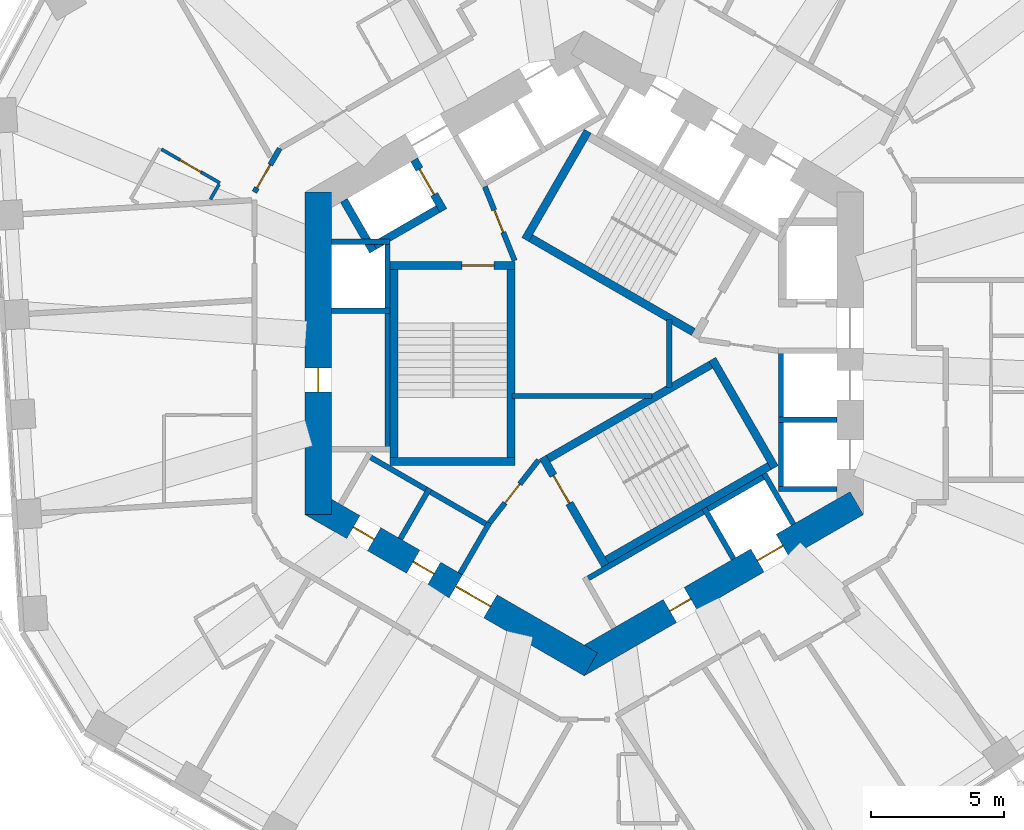
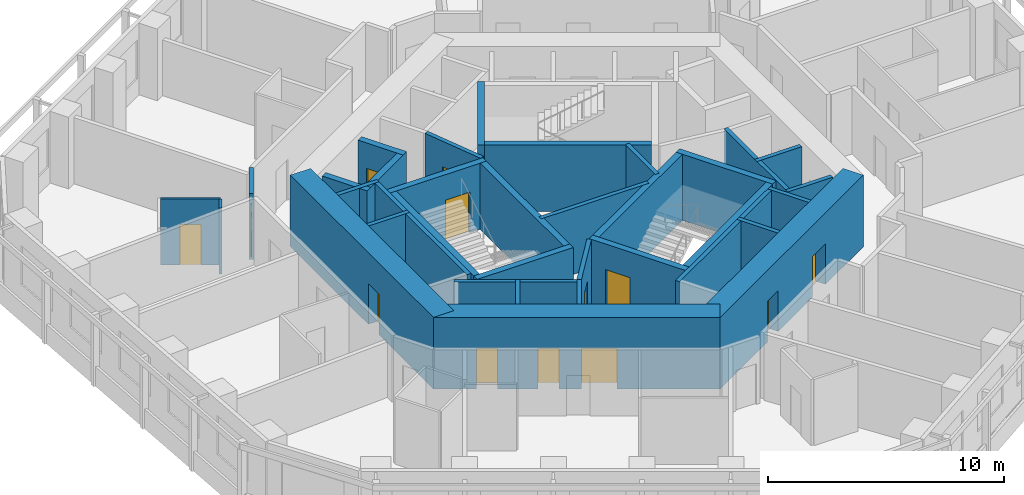
# One storey, part 5 of 11: 35 walls, 13 doors, 13 openings.
"""IFC4 building model written with IfcOpenShell, lengths in metres."""

from ifc_helpers import new_model, si_unit, direction, frame, frame_2d, origin, place, context, subcontext, project, spatial, rectangle, extrude, material, layer, layer_set, type_object, element, fill, save


model = new_model("IFC4")

# Units and contexts
model_context = context("Model", 3, precision=1e-05, world=origin(), true_north=direction((0.0, 1.0)))
body_context = subcontext(model_context, "Body", "Model", "MODEL_VIEW")
ifc_project = project(units=[si_unit("LENGTHUNIT", "METRE"), si_unit("AREAUNIT", "SQUARE_METRE"), si_unit("VOLUMEUNIT", "CUBIC_METRE"), si_unit("PLANEANGLEUNIT", "RADIAN"), si_unit("MASSUNIT", "GRAM", prefix="KILO")], contexts=[model_context])

# Site, building, storey
site_placement = place(None, origin())
site = spatial("IfcSite", under=ifc_project, at=site_placement, CompositionType="ELEMENT")
building_placement = place(site_placement, origin())
building = spatial("IfcBuilding", under=site, at=building_placement, Name="Vanh Sen Convention Tower", CompositionType="ELEMENT")
storey_placement = place(building_placement, frame((0.0, 0.0, 131.800048828125)))
storey = spatial("IfcBuildingStorey", under=building, at=storey_placement, Name="L32", CompositionType="ELEMENT", Elevation=131.800048828125)

# Wall, opening, door
ifc_material_1 = material(Name="Moisture-resistant gypsum board on steel studs", Category="steel")
ifc_layer_1 = layer(ifc_material_1, 0.1201171875)
ifc_layer_set_1 = layer_set([ifc_layer_1], Name="Moisture-resistant gypsum board on steel studs")
wall_type_1 = type_object("IfcWallType", Name="Bathroom partition 120", PredefinedType="PARTITIONING", material=ifc_layer_set_1)
wall_1_placement = place(storey_placement, frame((-15.900390625, 7.67919921875, 0.0), z_axis=(0.0, 0.0, 1.0), x_axis=(0.866022320763, -0.500005339912, 0.0)))
wall_1 = element("IfcWall", 1, at=wall_1_placement, inside=storey, type_object=wall_type_1, Name="Bathroom partition 120", PredefinedType="PARTITIONING", context=body_context, shape_type="SweptSolid", body=[
    extrude(rectangle(XDim=2.5400390625, YDim=0.1201171875, at=frame_2d((1.27001953125, 0.0))), origin(), (0.0, 0.0, 1.0), 3.419921875),
])
opening_1_placement = place(wall_1_placement, frame((0.820068359375, 0.0, 0.0)))
opening_1 = element("IfcOpeningElement", 2, at=opening_1_placement, cuts=wall_1, Name="Opening D32116", PredefinedType="OPENING", context=body_context, shape_type="SweptSolid", body=[
    extrude(rectangle(XDim=0.89990234375, YDim=2.10009765625, at=frame_2d((0.449951171875, 1.050048828125))), frame((0.0, 0.070068359375, 0.0), z_axis=(0.0, -1.0, 0.0), x_axis=(1.0, 0.0, 0.0)), (0.0, 0.0, 1.0), 0.14013671875),
])
ifc_material_2 = material(Name="Laminate door in steel frame", Category="steel")
door_type_1 = type_object("IfcDoorType", Name="Room internal door 900", OperationType="SINGLE_SWING_LEFT", PredefinedType="DOOR", material=ifc_material_2)
door_1_placement = place(opening_1_placement, origin())
door_1 = element("IfcDoor", 3, at=door_1_placement, inside=storey, type_object=door_type_1, Name="Internal room door D32116", OperationType="SINGLE_SWING_LEFT", OverallHeight=2.10009765625, OverallWidth=0.89990234375, PredefinedType="DOOR", context=body_context, shape_type="SweptSolid", body=[
    extrude(rectangle(XDim=0.89990234375, YDim=2.10009765625, at=frame_2d((0.449951171875, 1.050048828125))), frame((0.0, 0.02490234375, 0.0), z_axis=(0.0, -1.0, 0.0), x_axis=(1.0, 0.0, 0.0)), (0.0, 0.0, 1.0), 0.050048828125),
])
fill(opening_1, door_1)

# Wall
wall_2_placement = place(storey_placement, frame((-13.730712890625, 6.357177734375, 0.0), z_axis=(0.0, 0.0, 1.0), x_axis=(-0.500090215447, -0.865973311606, 0.0)))
element("IfcWall", 4, at=wall_2_placement, inside=storey, type_object=wall_type_1, Name="Bathroom partition 120", PredefinedType="PARTITIONING", context=body_context, shape_type="SweptSolid", body=[
    extrude(rectangle(XDim=0.6513671875, YDim=0.1201171875, at=frame_2d((0.32568359375, 0.0))), origin(), (0.0, 0.0, 1.0), 3.419921875),
])

# Wall, opening, door
ifc_material_3 = material(Name="Concrete C80/95", Category="concrete")
ifc_layer_2 = layer(ifc_material_3, 1.0)
ifc_layer_set_2 = layer_set([ifc_layer_2], Name="Concrete C80/95")
wall_type_2 = type_object("IfcWallType", Name="Core outer wall 1000 C80/95", PredefinedType="SHEAR", material=ifc_layer_set_2)
wall_3_placement = place(storey_placement, frame((-10.0, 6.062255859375, 0.0), z_axis=(0.0, 0.0, 1.0), x_axis=(0.0, -1.0, 0.0)))
wall_3 = element("IfcWall", 5, at=wall_3_placement, inside=storey, type_object=wall_type_2, Name="Core wall face W L32", PredefinedType="SHEAR", context=body_context, shape_type="SweptSolid", body=[
    extrude(rectangle(XDim=12.12451171875, YDim=1.0, at=frame_2d((6.062255859375, 0.0))), origin(), (0.0, 0.0, 1.0), 3.699951171875),
])
opening_2_placement = place(wall_3_placement, frame((6.6123046875, 0.0, 0.0)))
opening_2 = element("IfcOpeningElement", 6, at=opening_2_placement, cuts=wall_3, Name="Opening D32010", PredefinedType="OPENING", context=body_context, shape_type="SweptSolid", body=[
    extrude(rectangle(XDim=0.89990234375, YDim=2.10009765625, at=frame_2d((0.449951171875, 1.050048828125))), frame((0.0, 0.510009765625, 0.0), z_axis=(0.0, -1.0, 0.0), x_axis=(1.0, 0.0, 0.0)), (0.0, 0.0, 1.0), 1.02001953125),
])
ifc_material_4 = material(Name="Steel S355", Category="steel")
door_type_2 = type_object("IfcDoorType", Name="Plant door 900", OperationType="SINGLE_SWING_LEFT", PredefinedType="DOOR", material=ifc_material_4)
door_2_placement = place(opening_2_placement, origin())
door_2 = element("IfcDoor", 7, at=door_2_placement, inside=storey, type_object=door_type_2, Name="Plant door D32010", OperationType="SINGLE_SWING_LEFT", OverallHeight=2.10009765625, OverallWidth=0.89990234375, PredefinedType="DOOR", context=body_context, shape_type="SweptSolid", body=[
    extrude(rectangle(XDim=0.89990234375, YDim=2.10009765625, at=frame_2d((0.449951171875, 1.050048828125))), frame((0.0, 0.02490234375, 0.0), z_axis=(0.0, -1.0, 0.0), x_axis=(1.0, 0.0, 0.0)), (0.0, 0.0, 1.0), 0.050048828125),
])
fill(opening_2, door_2)

# Wall, openings, doors
wall_4_placement = place(storey_placement, frame((-10.25, -5.629150390625, 0.0), z_axis=(0.0, 0.0, 1.0), x_axis=(0.866022616891, -0.50000482701, 0.0)))
wall_4 = element("IfcWall", 8, at=wall_4_placement, inside=storey, type_object=wall_type_2, Name="Core wall face SW L32", PredefinedType="SHEAR", context=body_context, shape_type="SweptSolid", body=[
    extrude(rectangle(XDim=12.12451171875, YDim=1.0, at=frame_2d((6.062255859375, 0.0))), origin(), (0.0, 0.0, 1.0), 3.699951171875),
])
opening_3_placement = place(wall_4_placement, frame((6.26220703125, 0.0, 0.0)))
opening_3 = element("IfcOpeningElement", 9, at=opening_3_placement, cuts=wall_4, Name="Opening D32003", PredefinedType="OPENING", context=body_context, shape_type="SweptSolid", body=[
    extrude(rectangle(XDim=1.5, YDim=2.10009765625, at=frame_2d((0.75, 1.050048828125))), frame((0.0, 0.510009765625, 0.0), z_axis=(0.0, -1.0, 0.0), x_axis=(1.0, 0.0, 0.0)), (0.0, 0.0, 1.0), 1.02001953125),
])
opening_4_placement = place(wall_4_placement, frame((1.812255859375, 0.0, 0.0)))
opening_4 = element("IfcOpeningElement", 10, at=opening_4_placement, cuts=wall_4, Name="Opening D32011", PredefinedType="OPENING", context=body_context, shape_type="SweptSolid", body=[
    extrude(rectangle(XDim=0.89990234375, YDim=2.10009765625, at=frame_2d((0.449951171875, 1.050048828125))), frame((0.0, 0.510009765625, 0.0), z_axis=(0.0, -1.0, 0.0), x_axis=(1.0, 0.0, 0.0)), (0.0, 0.0, 1.0), 1.02001953125),
])
opening_5_placement = place(wall_4_placement, frame((4.412109375, 0.0, 0.0)))
opening_5 = element("IfcOpeningElement", 11, at=opening_5_placement, cuts=wall_4, Name="Opening D32012", PredefinedType="OPENING", context=body_context, shape_type="SweptSolid", body=[
    extrude(rectangle(XDim=0.89990234375, YDim=2.10009765625, at=frame_2d((0.449951171875, 1.050048828125))), frame((0.0, 0.510009765625, 0.0), z_axis=(0.0, -1.0, 0.0), x_axis=(1.0, 0.0, 0.0)), (0.0, 0.0, 1.0), 1.02001953125),
])
door_3_placement = place(opening_4_placement, origin())
door_3 = element("IfcDoor", 12, at=door_3_placement, inside=storey, type_object=door_type_2, Name="Plant door D32011", OperationType="SINGLE_SWING_LEFT", OverallHeight=2.10009765625, OverallWidth=0.89990234375, PredefinedType="DOOR", context=body_context, shape_type="SweptSolid", body=[
    extrude(rectangle(XDim=0.89990234375, YDim=2.10009765625, at=frame_2d((0.449951171875, 1.050048828125))), frame((0.0, 0.02490234375, 0.0), z_axis=(0.0, -1.0, 0.0), x_axis=(1.0, 0.0, 0.0)), (0.0, 0.0, 1.0), 0.050048828125),
])
fill(opening_4, door_3)
door_4_placement = place(opening_5_placement, origin())
door_4 = element("IfcDoor", 13, at=door_4_placement, inside=storey, type_object=door_type_2, Name="Plant door D32012", OperationType="SINGLE_SWING_LEFT", OverallHeight=2.10009765625, OverallWidth=0.89990234375, PredefinedType="DOOR", context=body_context, shape_type="SweptSolid", body=[
    extrude(rectangle(XDim=0.89990234375, YDim=2.10009765625, at=frame_2d((0.449951171875, 1.050048828125))), frame((0.0, 0.02490234375, 0.0), z_axis=(0.0, -1.0, 0.0), x_axis=(1.0, 0.0, 0.0)), (0.0, 0.0, 1.0), 0.050048828125),
])
fill(opening_5, door_4)
door_type_3 = type_object("IfcDoorType", Name="Stair lobby door 1500", OperationType="DOUBLE_DOOR_SINGLE_SWING", PredefinedType="DOOR", material=ifc_material_4)
door_5_placement = place(opening_3_placement, origin())
door_5 = element("IfcDoor", 14, at=door_5_placement, inside=storey, type_object=door_type_3, Name="Stair lobby door D32003", OperationType="DOUBLE_DOOR_SINGLE_SWING", OverallHeight=2.10009765625, OverallWidth=1.5, PredefinedType="DOOR", context=body_context, shape_type="SweptSolid", body=[
    extrude(rectangle(XDim=1.5, YDim=2.10009765625, at=frame_2d((0.75, 1.050048828125))), frame((0.0, 0.02490234375, 0.0), z_axis=(0.0, -1.0, 0.0), x_axis=(1.0, 0.0, 0.0)), (0.0, 0.0, 1.0), 0.050048828125),
])
fill(opening_3, door_5)

wall_5_placement = place(storey_placement, frame((-0.25, -11.69140625, 0.0), z_axis=(0.0, 0.0, 1.0), x_axis=(0.866022616891, 0.50000482701, 0.0)))
wall_5 = element("IfcWall", 15, at=wall_5_placement, inside=storey, type_object=wall_type_2, Name="Core wall face SE L32", PredefinedType="SHEAR", context=body_context, shape_type="SweptSolid", body=[
    extrude(rectangle(XDim=12.12451171875, YDim=1.0, at=frame_2d((6.062255859375, 0.0))), origin(), (0.0, 0.0, 1.0), 3.699951171875),
])
opening_6_placement = place(wall_5_placement, frame((4.01220703125, 0.0, 0.0)))
opening_6 = element("IfcOpeningElement", 16, at=opening_6_placement, cuts=wall_5, Name="Opening D32013", PredefinedType="OPENING", context=body_context, shape_type="SweptSolid", body=[
    extrude(rectangle(XDim=0.89990234375, YDim=2.10009765625, at=frame_2d((0.449951171875, 1.050048828125))), frame((0.0, 0.510009765625, 0.0), z_axis=(0.0, -1.0, 0.0), x_axis=(1.0, 0.0, 0.0)), (0.0, 0.0, 1.0), 1.02001953125),
])
opening_7_placement = place(wall_5_placement, frame((7.812255859375, 0.0, 0.0)))
opening_7 = element("IfcOpeningElement", 17, at=opening_7_placement, cuts=wall_5, Name="Opening LD-SV1", PredefinedType="OPENING", context=body_context, shape_type="SweptSolid", body=[
    extrude(rectangle(XDim=1.10009765625, YDim=2.10009765625, at=frame_2d((0.550048828125, 1.050048828125))), frame((0.0, 0.510009765625, 0.0), z_axis=(0.0, -1.0, 0.0), x_axis=(1.0, 0.0, 0.0)), (0.0, 0.0, 1.0), 1.02001953125),
])
ifc_material_5 = material(Name="Stainless steel", Category="steel")
door_type_4 = type_object("IfcDoorType", Name="Lift landing door 1100", OperationType="DOUBLE_DOOR_SLIDING", PredefinedType="DOOR", material=ifc_material_5)
door_6_placement = place(opening_7_placement, origin())
door_6 = element("IfcDoor", 18, at=door_6_placement, inside=storey, type_object=door_type_4, Name="Lift SV1 landing door LD-SV1", OperationType="DOUBLE_DOOR_SLIDING", OverallHeight=2.10009765625, OverallWidth=1.10009765625, PredefinedType="DOOR", context=body_context, shape_type="SweptSolid", body=[
    extrude(rectangle(XDim=1.10009765625, YDim=2.10009765625, at=frame_2d((0.550048828125, 1.050048828125))), frame((0.0, 0.02490234375, 0.0), z_axis=(0.0, -1.0, 0.0), x_axis=(1.0, 0.0, 0.0)), (0.0, 0.0, 1.0), 0.050048828125),
])
fill(opening_7, door_6)
door_7_placement = place(opening_6_placement, origin())
door_7 = element("IfcDoor", 19, at=door_7_placement, inside=storey, type_object=door_type_2, Name="Plant door D32013", OperationType="SINGLE_SWING_LEFT", OverallHeight=2.10009765625, OverallWidth=0.89990234375, PredefinedType="DOOR", context=body_context, shape_type="SweptSolid", body=[
    extrude(rectangle(XDim=0.89990234375, YDim=2.10009765625, at=frame_2d((0.449951171875, 1.050048828125))), frame((0.0, 0.02490234375, 0.0), z_axis=(0.0, -1.0, 0.0), x_axis=(1.0, 0.0, 0.0)), (0.0, 0.0, 1.0), 0.050048828125),
])
fill(opening_6, door_7)

# Walls
ifc_material_6 = material(Name="Masonry blockwork", Category="masonry")
ifc_layer_3 = layer(ifc_material_6, 0.199951171875)
ifc_layer_set_3 = layer_set([ifc_layer_3], Name="Masonry blockwork")
wall_type_3 = type_object("IfcWallType", Name="Core partition 200", PredefinedType="PARTITIONING", material=ifc_layer_set_3)
wall_6_placement = place(storey_placement, frame((-2.719970703125, -1.60009765625, 0.0), z_axis=(0.0, 0.0, 1.0), x_axis=(1.0, 0.0, 0.0)))
element("IfcWall", 20, at=wall_6_placement, inside=storey, type_object=wall_type_3, Name="Core partition L32", PredefinedType="PARTITIONING", context=body_context, shape_type="SweptSolid", body=[
    extrude(rectangle(XDim=5.2685546875, YDim=0.199951171875, at=frame_2d((2.63427734375, 0.0))), origin(), (0.0, 0.0, 1.0), 3.419921875),
])
wall_7_placement = place(storey_placement, frame((3.199951171875, -1.274658203125, 0.0), z_axis=(0.0, 0.0, 1.0), x_axis=(0.0, 1.0, 0.0)))
element("IfcWall", 21, at=wall_7_placement, inside=storey, type_object=wall_type_3, Name="Core partition L32", PredefinedType="PARTITIONING", context=body_context, shape_type="SweptSolid", body=[
    extrude(rectangle(XDim=2.54931640625, YDim=0.199951171875, at=frame_2d((1.274658203125, 0.0))), origin(), (0.0, 0.0, 1.0), 3.419921875),
])

# Wall, opening, door
ifc_material_7 = material(Name="Gypsum board on steel studs with mineral wool", Category="steel")
ifc_layer_4 = layer(ifc_material_7, 0.199951171875)
ifc_layer_set_4 = layer_set([ifc_layer_4], Name="Gypsum board on steel studs with mineral wool")
wall_type_4 = type_object("IfcWallType", Name="Corridor partition wall 200", PredefinedType="PARTITIONING", material=ifc_layer_set_4)
wall_8_placement = place(storey_placement, frame((-11.449951171875, 7.70751953125, 0.0), z_axis=(0.0, 0.0, 1.0), x_axis=(-0.500022797313, -0.86601224135, 0.0)))
wall_8 = element("IfcWall", 22, at=wall_8_placement, inside=storey, type_object=wall_type_4, Name="Corridor partition wall 200", PredefinedType="PARTITIONING", context=body_context, shape_type="SweptSolid", body=[
    extrude(rectangle(XDim=1.89990234375, YDim=0.199951171875, at=frame_2d((0.949951171875, 0.0))), origin(), (0.0, 0.0, 1.0), 3.419921875),
])
opening_8_placement = place(wall_8_placement, frame((0.711669921875, 0.0, 0.0)))
opening_8 = element("IfcOpeningElement", 23, at=opening_8_placement, cuts=wall_8, Name="Opening D32115", PredefinedType="OPENING", context=body_context, shape_type="SweptSolid", body=[
    extrude(rectangle(XDim=1.0, YDim=2.10009765625, at=frame_2d((0.5, 1.050048828125))), frame((0.0, 0.10986328125, 0.0), z_axis=(0.0, -1.0, 0.0), x_axis=(1.0, 0.0, 0.0)), (0.0, 0.0, 1.0), 0.219970703125),
])
ifc_material_8 = material(Name="Glazed fire door in steel frame", Category="steel")
door_type_5 = type_object("IfcDoorType", Name="Tenant entrance door 1000", OperationType="SINGLE_SWING_LEFT", PredefinedType="DOOR", material=ifc_material_8)
door_8_placement = place(opening_8_placement, origin())
door_8 = element("IfcDoor", 24, at=door_8_placement, inside=storey, type_object=door_type_5, Name="Tenant suite entrance door D32115", OperationType="SINGLE_SWING_LEFT", OverallHeight=2.10009765625, OverallWidth=1.0, PredefinedType="DOOR", context=body_context, shape_type="SweptSolid", body=[
    extrude(rectangle(XDim=1.0, YDim=2.10009765625, at=frame_2d((0.5, 1.050048828125))), frame((0.0, 0.02490234375, 0.0), z_axis=(0.0, -1.0, 0.0), x_axis=(1.0, 0.0, 0.0)), (0.0, 0.0, 1.0), 0.050048828125),
])
fill(opening_8, door_8)

ifc_material_9 = material(Name="Concrete C60/75", Category="concrete")
ifc_layer_5 = layer(ifc_material_9, 0.300048828125)
ifc_layer_set_5 = layer_set([ifc_layer_5], Name="Concrete C60/75")
wall_type_5 = type_object("IfcWallType", Name="Fire-fighting lift shaft wall 300", PredefinedType="SHEAR", material=ifc_layer_set_5)
wall_9_placement = place(storey_placement, frame((-5.29541015625, 5.3720703125, 0.0), z_axis=(0.0, 0.0, 1.0), x_axis=(-0.500077893725, 0.86598042715, 0.0)))
wall_9 = element("IfcWall", 25, at=wall_9_placement, inside=storey, type_object=wall_type_5, Name="Fire-fighting lift shaft wall L32", PredefinedType="SHEAR", context=body_context, shape_type="SweptSolid", body=[
    extrude(rectangle(XDim=2.199951171875, YDim=0.300048828125, at=frame_2d((1.10009765625, 0.0))), origin(), (0.0, 0.0, 1.0), 3.419921875),
])
opening_9_placement = place(wall_9_placement, frame((0.699951171875, 0.0, 0.0)))
opening_9 = element("IfcOpeningElement", 26, at=opening_9_placement, cuts=wall_9, Name="Opening LD-FF2", PredefinedType="OPENING", context=body_context, shape_type="SweptSolid", body=[
    extrude(rectangle(XDim=1.10009765625, YDim=2.10009765625, at=frame_2d((0.550048828125, 1.050048828125))), frame((0.0, 0.159912109375, 0.0), z_axis=(0.0, -1.0, 0.0), x_axis=(1.0, 0.0, 0.0)), (0.0, 0.0, 1.0), 0.320068359375),
])
door_type_6 = type_object("IfcDoorType", Name="Fire-fighting lift landing door 1100", OperationType="DOUBLE_DOOR_SLIDING", PredefinedType="DOOR", material=ifc_material_5)
door_9_placement = place(opening_9_placement, origin())
door_9 = element("IfcDoor", 27, at=door_9_placement, inside=storey, type_object=door_type_6, Name="Lift FF2 landing door LD-FF2", OperationType="DOUBLE_DOOR_SLIDING", OverallHeight=2.10009765625, OverallWidth=1.10009765625, PredefinedType="DOOR", context=body_context, shape_type="SweptSolid", body=[
    extrude(rectangle(XDim=1.10009765625, YDim=2.10009765625, at=frame_2d((0.550048828125, 1.050048828125))), frame((0.0, 0.02490234375, 0.0), z_axis=(0.0, -1.0, 0.0), x_axis=(1.0, 0.0, 0.0)), (0.0, 0.0, 1.0), 0.050048828125),
])
fill(opening_9, door_9)

# Walls
wall_10_placement = place(storey_placement, frame((-5.240478515625, 5.576904296875, 0.0), z_axis=(0.0, 0.0, 1.0), x_axis=(-0.866014461049, -0.500018952895, 0.0)))
element("IfcWall", 28, at=wall_10_placement, inside=storey, type_object=wall_type_5, Name="Fire-fighting lift shaft wall L32", PredefinedType="SHEAR", context=body_context, shape_type="SweptSolid", body=[
    extrude(rectangle(XDim=3.349853515625, YDim=0.300048828125, at=frame_2d((1.6748046875, 0.0))), origin(), (0.0, 0.0, 1.0), 3.419921875),
])
wall_11_placement = place(storey_placement, frame((-7.936767578125, 3.846923828125, 0.0), z_axis=(0.0, 0.0, 1.0), x_axis=(-0.50002983664, 0.866008176907, 0.0)))
element("IfcWall", 29, at=wall_11_placement, inside=storey, type_object=wall_type_5, Name="Fire-fighting lift shaft wall L32", PredefinedType="SHEAR", context=body_context, shape_type="SweptSolid", body=[
    extrude(rectangle(XDim=2.199951171875, YDim=0.300048828125, at=frame_2d((1.10009765625, 0.0))), origin(), (0.0, 0.0, 1.0), 3.419921875),
])
ifc_material_10 = material(Name="Concrete C40/50", Category="concrete")
ifc_layer_6 = layer(ifc_material_10, 0.199951171875)
ifc_layer_set_6 = layer_set([ifc_layer_6], Name="Concrete C40/50")
wall_type_6 = type_object("IfcWallType", Name="Lift shaft wall 200", PredefinedType="PARTITIONING", material=ifc_layer_set_6)
wall_12_placement = place(storey_placement, frame((7.39990234375, -5.199951171875, 0.0), z_axis=(0.0, 0.0, 1.0), x_axis=(0.0, 1.0, 0.0)))
element("IfcWall", 30, at=wall_12_placement, inside=storey, type_object=wall_type_6, Name="Lift shaft wall L32", PredefinedType="PARTITIONING", context=body_context, shape_type="SweptSolid", body=[
    extrude(rectangle(XDim=5.39990234375, YDim=0.199951171875, at=frame_2d((2.699951171875, 0.0))), origin(), (0.0, 0.0, 1.0), 3.419921875),
])
for number, where, z_axis, x_axis, name in (
    (31, (7.300048828125, -5.10009765625, 0.0), (0.0, 0.0, 1.0), (1.0, 0.0, 0.0), "Lift shaft wall L32"),
    (32, (7.300048828125, -2.5, 0.0), (0.0, 0.0, 1.0), (1.0, 0.0, 0.0), "Lift shaft wall L32"),
):
    element("IfcWall", number, at=place(storey_placement, frame(where, z_axis=z_axis, x_axis=x_axis)), inside=storey, type_object=wall_type_6, Name=name, PredefinedType="PARTITIONING", context=body_context, shape_type="SweptSolid", body=[
        extrude(rectangle(XDim=2.199951171875, YDim=0.199951171875, at=frame_2d((1.10009765625, 0.0))), origin(), (0.0, 0.0, 1.0), 3.419921875),
    ])
wall_13_placement = place(storey_placement, frame((-7.39990234375, 4.300048828125, 0.0), z_axis=(0.0, 0.0, 1.0), x_axis=(0.0, -1.0, 0.0)))
element("IfcWall", 33, at=wall_13_placement, inside=storey, type_object=wall_type_6, Name="Lift shaft wall L32", PredefinedType="PARTITIONING", context=body_context, shape_type="SweptSolid", body=[
    extrude(rectangle(XDim=8.0, YDim=0.199951171875, at=frame_2d((4.0, 0.0))), origin(), (0.0, 0.0, 1.0), 3.419921875),
])
for number, where, z_axis, x_axis, name in (
    (34, (-7.300048828125, 4.199951171875, 0.0), (0.0, 0.0, 1.0), (-1.0, 0.0, 0.0), "Lift shaft wall L32"),
    (35, (-7.300048828125, 1.60009765625, 0.0), (0.0, 0.0, 1.0), (-1.0, 0.0, 0.0), "Lift shaft wall L32"),
):
    element("IfcWall", number, at=place(storey_placement, frame(where, z_axis=z_axis, x_axis=x_axis)), inside=storey, type_object=wall_type_6, Name=name, PredefinedType="PARTITIONING", context=body_context, shape_type="SweptSolid", body=[
        extrude(rectangle(XDim=2.199951171875, YDim=0.199951171875, at=frame_2d((1.10009765625, 0.0))), origin(), (0.0, 0.0, 1.0), 3.419921875),
    ])
wall_14_placement = place(storey_placement, frame((-8.203369140625, -3.80859375, 0.0), z_axis=(0.0, 0.0, 1.0), x_axis=(0.866028230842, -0.499995103361, 0.0)))
element("IfcWall", 36, at=wall_14_placement, inside=storey, type_object=wall_type_6, Name="Lift shaft wall L32", PredefinedType="PARTITIONING", context=body_context, shape_type="SweptSolid", body=[
    extrude(rectangle(XDim=5.39990234375, YDim=0.199951171875, at=frame_2d((2.699951171875, 0.0))), origin(), (0.0, 0.0, 1.0), 3.419921875),
])
wall_15_placement = place(storey_placement, frame((-5.815185546875, -5.072021484375, 0.0), z_axis=(0.0, 0.0, 1.0), x_axis=(-0.499946605688, -0.86605622881, 0.0)))
element("IfcWall", 37, at=wall_15_placement, inside=storey, type_object=wall_type_6, Name="Lift shaft wall L32", PredefinedType="PARTITIONING", context=body_context, shape_type="SweptSolid", body=[
    extrude(rectangle(XDim=2.199951171875, YDim=0.199951171875, at=frame_2d((1.10009765625, 0.0))), origin(), (0.0, 0.0, 1.0), 3.419921875),
])
wall_16_placement = place(storey_placement, frame((-3.5634765625, -6.3720703125, 0.0), z_axis=(0.0, 0.0, 1.0), x_axis=(-0.499994660107, -0.866028486751, 0.0)))
element("IfcWall", 38, at=wall_16_placement, inside=storey, type_object=wall_type_6, Name="Lift shaft wall L32", PredefinedType="PARTITIONING", context=body_context, shape_type="SweptSolid", body=[
    extrude(rectangle(XDim=2.19970703125, YDim=0.199951171875, at=frame_2d((1.099853515625, 0.0))), origin(), (0.0, 0.0, 1.0), 3.419921875),
])
wall_17_placement = place(storey_placement, frame((-0.02392578125, -8.55859375, 0.0), z_axis=(0.0, 0.0, 1.0), x_axis=(0.866026010844, 0.49999894854, 0.0)))
element("IfcWall", 39, at=wall_17_placement, inside=storey, type_object=wall_type_6, Name="Lift shaft wall L32", PredefinedType="PARTITIONING", context=body_context, shape_type="SweptSolid", body=[
    extrude(rectangle(XDim=8.0, YDim=0.199951171875, at=frame_2d((4.0, 0.0))), origin(), (0.0, 0.0, 1.0), 3.419921875),
])
for number, where, z_axis, x_axis, name in (
    (40, (4.51611328125, -5.822021484375, 0.0), (0.0, 0.0, 1.0), (0.499946605688, -0.86605622881, 0.0), "Lift shaft wall L32"),
    (41, (6.767578125, -4.52197265625, 0.0), (0.0, 0.0, 1.0), (0.50002983664, -0.866008176907, 0.0), "Lift shaft wall L32"),
):
    element("IfcWall", number, at=place(storey_placement, frame(where, z_axis=z_axis, x_axis=x_axis)), inside=storey, type_object=wall_type_6, Name=name, PredefinedType="PARTITIONING", context=body_context, shape_type="SweptSolid", body=[
        extrude(rectangle(XDim=2.199951171875, YDim=0.199951171875, at=frame_2d((1.10009765625, 0.0))), origin(), (0.0, 0.0, 1.0), 3.419921875),
    ])

# Wall, opening, door
ifc_layer_7 = layer(ifc_material_10, 0.199951171875)
ifc_layer_set_7 = layer_set([ifc_layer_7], Name="Concrete C40/50")
wall_type_7 = type_object("IfcWallType", Name="Stair lobby wall 200", PredefinedType="PARTITIONING", material=ifc_layer_set_7)
wall_18_placement = place(storey_placement, frame((-2.614990234375, 3.487060546875, 0.0), z_axis=(0.0, 0.0, 1.0), x_axis=(-0.373576831041, 0.92759924068, 0.0)))
wall_18 = element("IfcWall", 42, at=wall_18_placement, inside=storey, type_object=wall_type_7, Name="Stair lobby wall L32", PredefinedType="PARTITIONING", context=body_context, shape_type="SweptSolid", body=[
    extrude(rectangle(XDim=3.002197265625, YDim=0.199951171875, at=frame_2d((1.5009765625, 0.0))), origin(), (0.0, 0.0, 1.0), 3.419921875),
])
opening_10_placement = place(wall_18_placement, frame((1.14990234375, 0.0, 0.0)))
opening_10 = element("IfcOpeningElement", 43, at=opening_10_placement, cuts=wall_18, Name="Opening D32008", PredefinedType="OPENING", context=body_context, shape_type="SweptSolid", body=[
    extrude(rectangle(XDim=0.89990234375, YDim=2.10009765625, at=frame_2d((0.449951171875, 1.050048828125))), frame((0.0, 0.10986328125, 0.0), z_axis=(0.0, -1.0, 0.0), x_axis=(1.0, 0.0, 0.0)), (0.0, 0.0, 1.0), 0.219970703125),
])
door_10_placement = place(opening_10_placement, origin())
door_10 = element("IfcDoor", 44, at=door_10_placement, inside=storey, type_object=door_type_2, Name="Plant door D32008", OperationType="SINGLE_SWING_LEFT", OverallHeight=2.10009765625, OverallWidth=0.89990234375, PredefinedType="DOOR", context=body_context, shape_type="SweptSolid", body=[
    extrude(rectangle(XDim=0.89990234375, YDim=2.10009765625, at=frame_2d((0.449951171875, 1.050048828125))), frame((0.0, 0.02490234375, 0.0), z_axis=(0.0, -1.0, 0.0), x_axis=(1.0, 0.0, 0.0)), (0.0, 0.0, 1.0), 0.050048828125),
])
fill(opening_10, door_10)

wall_19_placement = place(storey_placement, frame((-1.71240234375, -4.00830078125, 0.0), z_axis=(0.0, 0.0, 1.0), x_axis=(-0.616549420702, -0.787316208287, 0.0)))
wall_19 = element("IfcWall", 45, at=wall_19_placement, inside=storey, type_object=wall_type_7, Name="Stair lobby wall L32", PredefinedType="PARTITIONING", context=body_context, shape_type="SweptSolid", body=[
    extrude(rectangle(XDim=3.002197265625, YDim=0.199951171875, at=frame_2d((1.5009765625, 0.0))), origin(), (0.0, 0.0, 1.0), 3.419921875),
])
opening_11_placement = place(wall_19_placement, frame((1.14990234375, 0.0, 0.0)))
opening_11 = element("IfcOpeningElement", 46, at=opening_11_placement, cuts=wall_19, Name="Opening D32009", PredefinedType="OPENING", context=body_context, shape_type="SweptSolid", body=[
    extrude(rectangle(XDim=0.89990234375, YDim=2.10009765625, at=frame_2d((0.449951171875, 1.050048828125))), frame((0.0, 0.10986328125, 0.0), z_axis=(0.0, -1.0, 0.0), x_axis=(1.0, 0.0, 0.0)), (0.0, 0.0, 1.0), 0.219970703125),
])
door_11_placement = place(opening_11_placement, origin())
door_11 = element("IfcDoor", 47, at=door_11_placement, inside=storey, type_object=door_type_2, Name="Plant door D32009", OperationType="SINGLE_SWING_LEFT", OverallHeight=2.10009765625, OverallWidth=0.89990234375, PredefinedType="DOOR", context=body_context, shape_type="SweptSolid", body=[
    extrude(rectangle(XDim=0.89990234375, YDim=2.10009765625, at=frame_2d((0.449951171875, 1.050048828125))), frame((0.0, 0.02490234375, 0.0), z_axis=(0.0, -1.0, 0.0), x_axis=(1.0, 0.0, 0.0)), (0.0, 0.0, 1.0), 0.050048828125),
])
fill(opening_11, door_11)

# Walls
ifc_layer_8 = layer(ifc_material_9, 0.300048828125)
ifc_layer_set_8 = layer_set([ifc_layer_8], Name="Concrete C60/75")
wall_type_8 = type_object("IfcWallType", Name="Stair wall 300", PredefinedType="SHEAR", material=ifc_layer_set_8)
wall_20_placement = place(storey_placement, frame((-2.216064453125, 4.28173828125, 0.0), z_axis=(0.0, 0.0, 1.0), x_axis=(0.499977259774, 0.866038532462, 0.0)))
element("IfcWall", 48, at=wall_20_placement, inside=storey, type_object=wall_type_8, Name="Stair wall L32", PredefinedType="SHEAR", context=body_context, shape_type="SweptSolid", body=[
    extrude(rectangle(XDim=4.699951171875, YDim=0.300048828125, at=frame_2d((2.35009765625, 0.0))), origin(), (0.0, 0.0, 1.0), 3.419921875),
])
wall_21_placement = place(storey_placement, frame((4.10302734375, 0.806640625, 0.0), z_axis=(0.0, 0.0, 1.0), x_axis=(-0.866027801685, 0.499995846692, 0.0)))
element("IfcWall", 49, at=wall_21_placement, inside=storey, type_object=wall_type_8, Name="Stair wall L32", PredefinedType="SHEAR", context=body_context, shape_type="SweptSolid", body=[
    extrude(rectangle(XDim=7.06005859375, YDim=0.300048828125, at=frame_2d((3.530029296875, 0.0))), origin(), (0.0, 0.0, 1.0), 3.419921875),
])

# Wall, opening, door
wall_22_placement = place(storey_placement, frame((-2.60009765625, 3.300048828125, 0.0), z_axis=(0.0, 0.0, 1.0), x_axis=(-1.0, 0.0, 0.0)))
wall_22 = element("IfcWall", 50, at=wall_22_placement, inside=storey, type_object=wall_type_8, Name="Stair wall L32", PredefinedType="SHEAR", context=body_context, shape_type="SweptSolid", body=[
    extrude(rectangle(XDim=4.699951171875, YDim=0.300048828125, at=frame_2d((2.35009765625, 0.0))), origin(), (0.0, 0.0, 1.0), 3.419921875),
])
opening_12_placement = place(wall_22_placement, frame((0.800048828125, 0.0, 0.0)))
opening_12 = element("IfcOpeningElement", 51, at=opening_12_placement, cuts=wall_22, Name="Opening D32005", PredefinedType="OPENING", context=body_context, shape_type="SweptSolid", body=[
    extrude(rectangle(XDim=1.199951171875, YDim=2.10009765625, at=frame_2d((0.60009765625, 1.050048828125))), frame((0.0, 0.159912109375, 0.0), z_axis=(0.0, -1.0, 0.0), x_axis=(1.0, 0.0, 0.0)), (0.0, 0.0, 1.0), 0.320068359375),
])
door_type_7 = type_object("IfcDoorType", Name="Stair door 1200", OperationType="SINGLE_SWING_RIGHT", PredefinedType="DOOR", material=ifc_material_4)
door_12_placement = place(opening_12_placement, origin())
door_12 = element("IfcDoor", 52, at=door_12_placement, inside=storey, type_object=door_type_7, Name="Stair ST2 door D32005", OperationType="SINGLE_SWING_RIGHT", OverallHeight=2.10009765625, OverallWidth=1.199951171875, PredefinedType="DOOR", context=body_context, shape_type="SweptSolid", body=[
    extrude(rectangle(XDim=1.199951171875, YDim=2.10009765625, at=frame_2d((0.60009765625, 1.050048828125))), frame((0.0, 0.02490234375, 0.0), z_axis=(0.0, -1.0, 0.0), x_axis=(1.0, 0.0, 0.0)), (0.0, 0.0, 1.0), 0.050048828125),
])
fill(opening_12, door_12)

# Walls
wall_23_placement = place(storey_placement, frame((-2.60009765625, -4.06005859375, 0.0), z_axis=(0.0, 0.0, 1.0), x_axis=(-1.0, 0.0, 0.0)))
element("IfcWall", 53, at=wall_23_placement, inside=storey, type_object=wall_type_8, Name="Stair wall L32", PredefinedType="SHEAR", context=body_context, shape_type="SweptSolid", body=[
    extrude(rectangle(XDim=4.699951171875, YDim=0.300048828125, at=frame_2d((2.35009765625, 0.0))), origin(), (0.0, 0.0, 1.0), 3.419921875),
])
for number, where, z_axis, x_axis, name in (
    (54, (-2.75, 3.14990234375, 0.0), (0.0, 0.0, 1.0), (0.0, -1.0, 0.0), "Stair wall L32"),
    (55, (-7.14990234375, 3.14990234375, 0.0), (0.0, 0.0, 1.0), (0.0, -1.0, 0.0), "Stair wall L32"),
):
    element("IfcWall", number, at=place(storey_placement, frame(where, z_axis=z_axis, x_axis=x_axis)), inside=storey, type_object=wall_type_8, Name=name, PredefinedType="SHEAR", context=body_context, shape_type="SweptSolid", body=[
        extrude(rectangle(XDim=7.059814453125, YDim=0.300048828125, at=frame_2d((3.52978515625, 0.0))), origin(), (0.0, 0.0, 1.0), 3.419921875),
    ])

# Wall, opening, door
wall_24_placement = place(storey_placement, frame((-1.557861328125, -3.901611328125, 0.0), z_axis=(0.0, 0.0, 1.0), x_axis=(0.499977259774, -0.866038532462, 0.0)))
wall_24 = element("IfcWall", 56, at=wall_24_placement, inside=storey, type_object=wall_type_8, Name="Stair wall L32", PredefinedType="SHEAR", context=body_context, shape_type="SweptSolid", body=[
    extrude(rectangle(XDim=4.699951171875, YDim=0.300048828125, at=frame_2d((2.35009765625, 0.0))), origin(), (0.0, 0.0, 1.0), 3.419921875),
])
opening_13_placement = place(wall_24_placement, frame((0.800048828125, 0.0, 0.0)))
opening_13 = element("IfcOpeningElement", 57, at=opening_13_placement, cuts=wall_24, Name="Opening D32006", PredefinedType="OPENING", context=body_context, shape_type="SweptSolid", body=[
    extrude(rectangle(XDim=1.199951171875, YDim=2.10009765625, at=frame_2d((0.60009765625, 1.050048828125))), frame((0.0, 0.159912109375, 0.0), z_axis=(0.0, -1.0, 0.0), x_axis=(1.0, 0.0, 0.0)), (0.0, 0.0, 1.0), 0.320068359375),
])
door_13_placement = place(opening_13_placement, origin())
door_13 = element("IfcDoor", 58, at=door_13_placement, inside=storey, type_object=door_type_7, Name="Stair ST3 door D32006", OperationType="SINGLE_SWING_RIGHT", OverallHeight=2.10009765625, OverallWidth=1.199951171875, PredefinedType="DOOR", context=body_context, shape_type="SweptSolid", body=[
    extrude(rectangle(XDim=1.199951171875, YDim=2.10009765625, at=frame_2d((0.60009765625, 1.050048828125))), frame((0.0, 0.02490234375, 0.0), z_axis=(0.0, -1.0, 0.0), x_axis=(1.0, 0.0, 0.0)), (0.0, 0.0, 1.0), 0.050048828125),
])
fill(opening_13, door_13)

# Walls
wall_25_placement = place(storey_placement, frame((4.816162109375, -0.2216796875, 0.0), z_axis=(0.0, 0.0, 1.0), x_axis=(0.499977259774, -0.866038532462, 0.0)))
element("IfcWall", 59, at=wall_25_placement, inside=storey, type_object=wall_type_8, Name="Stair wall L32", PredefinedType="SHEAR", context=body_context, shape_type="SweptSolid", body=[
    extrude(rectangle(XDim=4.699951171875, YDim=0.300048828125, at=frame_2d((2.35009765625, 0.0))), origin(), (0.0, 0.0, 1.0), 3.419921875),
])
for number, where, z_axis, x_axis, name in (
    (60, (-1.35302734375, -3.95654296875, 0.0), (0.0, 0.0, 1.0), (0.866027801685, 0.499995846692, 0.0), "Stair wall L32"),
    (61, (0.846923828125, -7.76708984375, 0.0), (0.0, 0.0, 1.0), (0.866027801685, 0.499995846692, 0.0), "Stair wall L32"),
):
    element("IfcWall", number, at=place(storey_placement, frame(where, z_axis=z_axis, x_axis=x_axis)), inside=storey, type_object=wall_type_8, Name=name, PredefinedType="SHEAR", context=body_context, shape_type="SweptSolid", body=[
        extrude(rectangle(XDim=7.06005859375, YDim=0.300048828125, at=frame_2d((3.530029296875, 0.0))), origin(), (0.0, 0.0, 1.0), 3.419921875),
    ])

save(model, "model.ifc")
